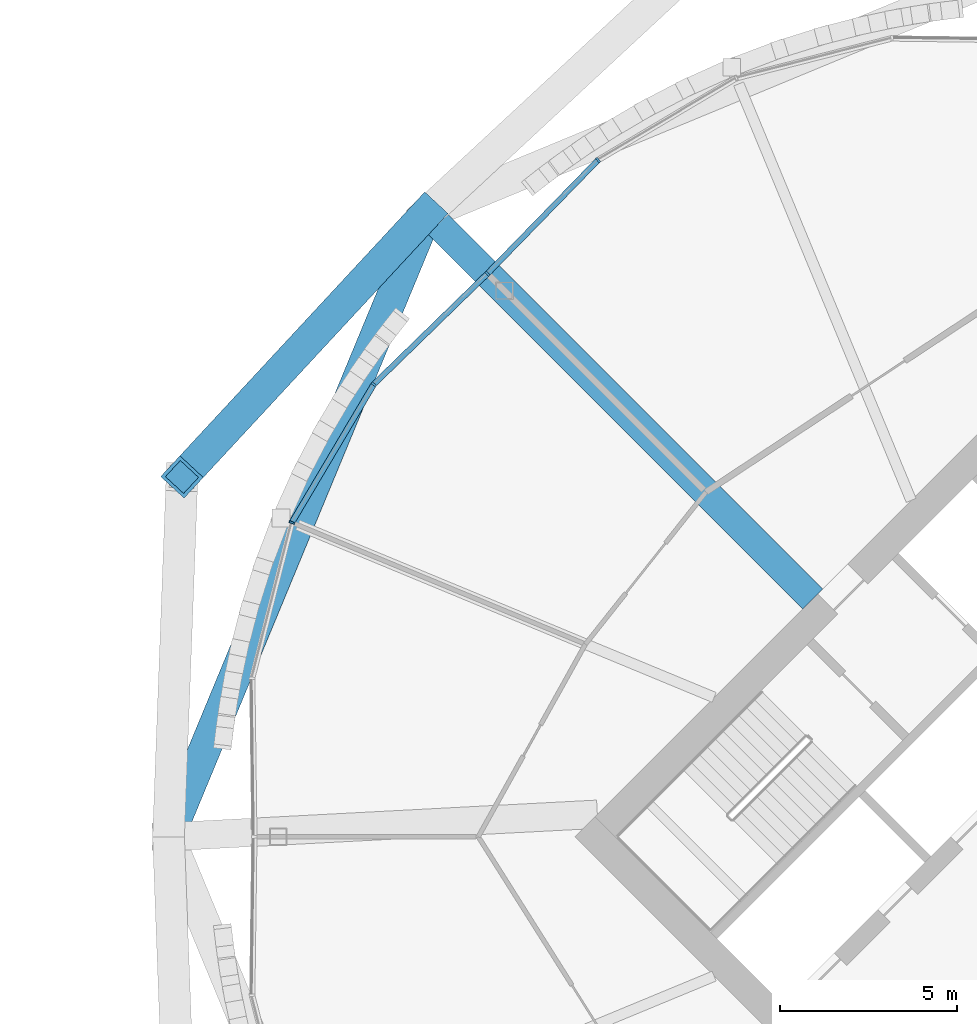
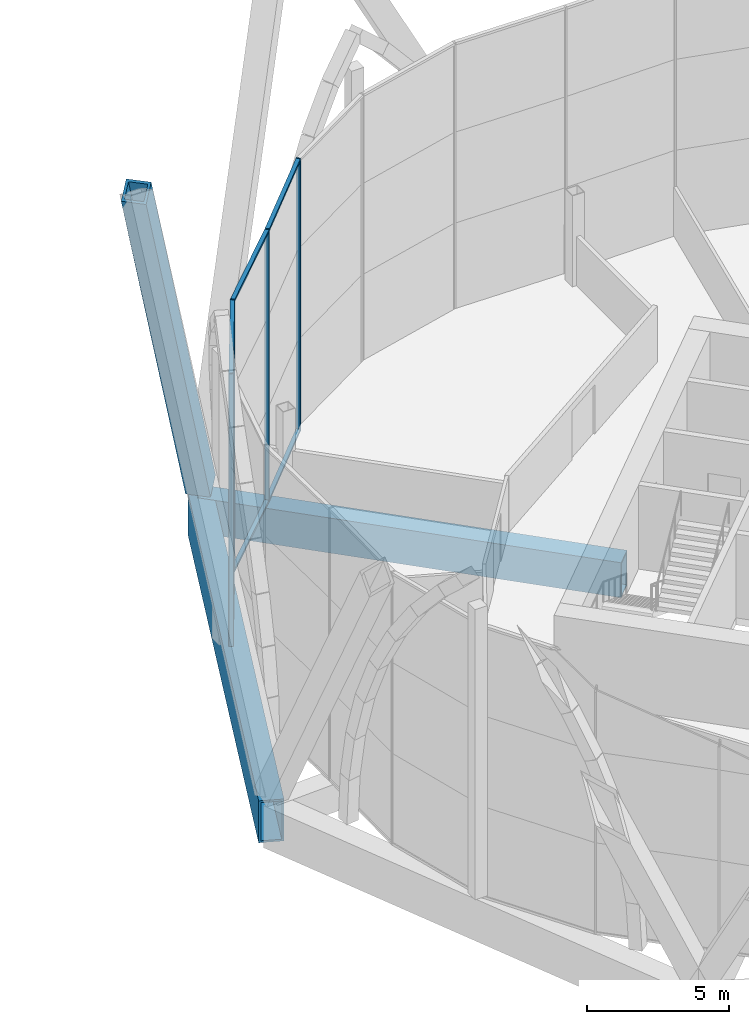
# One storey, part 20 of 37: 11 members, 2 beams, 2 elements without a shape of their own.
"""IFC4 building model written with IfcOpenShell, lengths in metres."""

from ifc_helpers import new_model, si_unit, direction, frame, origin, origin_2d, place, context, subcontext, project, spatial, rectangle, hollow_rectangle, extrude, material, material_profile, profile_set, type_object, element, aggregate, save


model = new_model("IFC4")

# Units and contexts
model_context = context("Model", 3, precision=1e-05, world=origin(), true_north=direction((0.0, 1.0)))
body_context = subcontext(model_context, "Body", "Model", "MODEL_VIEW")
ifc_project = project(units=[si_unit("LENGTHUNIT", "METRE"), si_unit("AREAUNIT", "SQUARE_METRE"), si_unit("VOLUMEUNIT", "CUBIC_METRE"), si_unit("PLANEANGLEUNIT", "RADIAN"), si_unit("MASSUNIT", "GRAM", prefix="KILO")], contexts=[model_context])

# Site, building, storey
site_placement = place(None, origin())
site = spatial("IfcSite", under=ifc_project, at=site_placement, CompositionType="ELEMENT")
building_placement = place(site_placement, origin())
building = spatial("IfcBuilding", under=site, at=building_placement, Name="Ogive Gate Towers", CompositionType="ELEMENT")
storey_placement = place(building_placement, frame((0.0, 0.0, 32.39990234375)))
storey = spatial("IfcBuildingStorey", under=building, at=storey_placement, Name="L06", CompositionType="ELEMENT", Elevation=32.39990234375)

# Member
ifc_material_1 = material(Name="Steel SM460", Category="steel")
ifc_material_profile_1 = material_profile(ifc_material_1, hollow_rectangle(XDim=0.89990234375, YDim=0.89990234375, WallThickness=0.10009765625, at=origin_2d()), Name="BX 900x900x100")
ifc_profile_set_1 = profile_set([ifc_material_profile_1], Name="Steel SM460")
member_type_1 = type_object("IfcMemberType", Name="Diagrid diagonal BX 900x900x100", PredefinedType="BRACE", material=ifc_profile_set_1)
member_1_placement = place(storey_placement, frame((18.385986328125, 17.614013671875, 0.0), z_axis=(-0.31444089886, -0.338942066201, 0.886704684144), x_axis=(0.733107278791, -0.68011301839, 0.0)))
element("IfcMember", 1, at=member_1_placement, inside=storey, type_object=member_type_1, Name="T2/L06/SDG008", PredefinedType="BRACE", context=body_context, shape_type="SweptSolid", body=[
    extrude(hollow_rectangle(XDim=0.89990234375, YDim=0.89990234375, WallThickness=0.10009765625, at=origin_2d()), origin(), (0.0, 0.0, 1.0), 21.991455078125),
])

# Beam
ifc_material_profile_2 = material_profile(ifc_material_1, hollow_rectangle(XDim=0.89990234375, YDim=1.800048828125, WallThickness=0.080078125, at=origin_2d()), Name="BX 1800x900x80")
ifc_profile_set_2 = profile_set([ifc_material_profile_2], Name="Steel SM460")
beam_type_1 = type_object("IfcBeamType", Name="Edge girder BX 1800x900x80", PredefinedType="BEAM", material=ifc_profile_set_2)
beam_1_placement = place(storey_placement, frame((18.385986328125, 17.614013671875, -1.199951171875), z_axis=(-0.382680526191, -0.923880736283, 0.0), x_axis=(0.923880736283, -0.382680526191, 0.0)))
element("IfcBeam", 2, at=beam_1_placement, inside=storey, type_object=beam_type_1, Name="T2/L06/SBM023", PredefinedType="BEAM", context=body_context, shape_type="SweptSolid", body=[
    extrude(hollow_rectangle(XDim=0.89990234375, YDim=1.800048828125, WallThickness=0.080078125, at=origin_2d()), origin(), (0.0, 0.0, 1.0), 19.065185546875),
])

# Curtain wall, members
ifc_material_2 = material(Name="Pale metal aluminium", Category="aluminium")
curtain_wall_type = type_object("IfcCurtainWallType", Name="Tower unitised wall, low zone", PredefinedType="NOTDEFINED", material=ifc_material_2)
curtain_wall_1_placement = place(storey_placement, origin())
curtain_wall_1 = element("IfcCurtainWall", 3, at=curtain_wall_1_placement, inside=storey, type_object=curtain_wall_type, Name="CW1 T2 ECW03", PredefinedType="NOTDEFINED")
ifc_material_profile_3 = material_profile(ifc_material_2, rectangle(XDim=0.159912109375, YDim=0.06005859375, at=origin_2d()), Name="60 x 160 aluminium box")
ifc_profile_set_3 = profile_set([ifc_material_profile_3], Name="Pale metal aluminium")
member_type_2 = type_object("IfcMemberType", Name="Tower unitised wall, low zone mullion 60 x 160", PredefinedType="MULLION", material=ifc_profile_set_3)
member_2_placement = place(storey_placement, frame((23.221923828125, 19.112548828125, -0.2998046875), z_axis=(0.0, 0.0, 1.0), x_axis=(-0.61853182984, 0.785759744117, 0.0)))
member_2 = element("IfcMember", 4, at=member_2_placement, type_object=member_type_2, Name="CW1 mullion", PredefinedType="MULLION", context=body_context, shape_type="SweptSolid", body=[
    extrude(rectangle(XDim=0.159912109375, YDim=0.06005859375, at=origin_2d()), origin(), (0.0, 0.0, 1.0), 11.699951171875),
])
member_3_placement = place(storey_placement, frame((20.097412109375, 15.903076171875, -0.2998046875), z_axis=(0.0, 0.0, 1.0), x_axis=(-0.716496775349, 0.697590403399, 0.0)))
member_3 = element("IfcMember", 5, at=member_3_placement, type_object=member_type_2, Name="CW1 mullion", PredefinedType="MULLION", context=body_context, shape_type="SweptSolid", body=[
    extrude(rectangle(XDim=0.159912109375, YDim=0.06005859375, at=origin_2d()), origin(), (0.0, 0.0, 1.0), 11.699951171875),
])

curtain_wall_2_placement = place(storey_placement, origin())
curtain_wall_2 = element("IfcCurtainWall", 6, at=curtain_wall_2_placement, inside=storey, type_object=curtain_wall_type, Name="CW1 T2 ECW04", PredefinedType="NOTDEFINED")
member_4_placement = place(storey_placement, frame((16.887451171875, 12.778076171875, -0.2998046875), z_axis=(0.0, 0.0, 1.0), x_axis=(-0.785759744117, 0.61853182984, 0.0)))
member_4 = element("IfcMember", 7, at=member_4_placement, type_object=member_type_2, Name="CW1 mullion", PredefinedType="MULLION", context=body_context, shape_type="SweptSolid", body=[
    extrude(rectangle(XDim=0.159912109375, YDim=0.06005859375, at=origin_2d()), origin(), (0.0, 0.0, 1.0), 11.699951171875),
])
member_5_placement = place(storey_placement, frame((14.57421875, 8.874755859375, -0.2998046875), z_axis=(0.0, 0.0, 1.0), x_axis=(-0.923879532511, 0.382683432365, 0.0)))
member_5 = element("IfcMember", 8, at=member_5_placement, type_object=member_type_2, Name="CW1 mullion", PredefinedType="MULLION", context=body_context, shape_type="SweptSolid", body=[
    extrude(rectangle(XDim=0.159912109375, YDim=0.06005859375, at=origin_2d()), origin(), (0.0, 0.0, 1.0), 11.699951171875),
])

# Member
ifc_material_profile_4 = material_profile(ifc_material_2, rectangle(XDim=0.159912109375, YDim=0.10009765625, at=origin_2d()), Name="100 x 160 aluminium box")
ifc_profile_set_4 = profile_set([ifc_material_profile_4], Name="Pale metal aluminium")
member_type_3 = type_object("IfcMemberType", Name="Tower unitised wall, low zone transom 100 x 160", PredefinedType="USERDEFINED", material=ifc_profile_set_4)
member_6_placement = place(storey_placement, frame((23.202880859375, 19.0927734375, 11.35009765625), z_axis=(-0.697574167313, -0.716512582651, 0.0), x_axis=(0.716512582651, -0.697574167313, 0.0)))
member_6 = element("IfcMember", 9, at=member_6_placement, type_object=member_type_3, Name="CW1 transom", ObjectType="TRANSOM", PredefinedType="USERDEFINED", context=body_context, shape_type="SweptSolid", body=[
    extrude(rectangle(XDim=0.159912109375, YDim=0.10009765625, at=origin_2d()), origin(), (0.0, 0.0, 1.0), 4.421630859375),
])

member_7_placement = place(storey_placement, frame((23.202880859375, 19.0927734375, -0.25), z_axis=(-0.697574167313, -0.716512582651, 0.0), x_axis=(0.716512582651, -0.697574167313, 0.0)))
member_7 = element("IfcMember", 10, at=member_7_placement, type_object=member_type_3, Name="CW1 transom", ObjectType="TRANSOM", PredefinedType="USERDEFINED", context=body_context, shape_type="SweptSolid", body=[
    extrude(rectangle(XDim=0.159912109375, YDim=0.10009765625, at=origin_2d()), origin(), (0.0, 0.0, 1.0), 4.421630859375),
])

aggregate(curtain_wall_1, [member_2, member_3, member_6, member_7])

member_8_placement = place(storey_placement, frame((20.075439453125, 15.881591796875, 11.35009765625), z_axis=(-0.716512582651, -0.697574167313, 0.0), x_axis=(0.697574167313, -0.716512582651, 0.0)))
member_8 = element("IfcMember", 11, at=member_8_placement, type_object=member_type_3, Name="CW1 transom", ObjectType="TRANSOM", PredefinedType="USERDEFINED", context=body_context, shape_type="SweptSolid", body=[
    extrude(rectangle(XDim=0.159912109375, YDim=0.10009765625, at=origin_2d()), origin(), (0.0, 0.0, 1.0), 4.421630859375),
])

member_9_placement = place(storey_placement, frame((20.075439453125, 15.881591796875, -0.25), z_axis=(-0.716512582651, -0.697574167313, 0.0), x_axis=(0.697574167313, -0.716512582651, 0.0)))
member_9 = element("IfcMember", 12, at=member_9_placement, type_object=member_type_3, Name="CW1 transom", ObjectType="TRANSOM", PredefinedType="USERDEFINED", context=body_context, shape_type="SweptSolid", body=[
    extrude(rectangle(XDim=0.159912109375, YDim=0.10009765625, at=origin_2d()), origin(), (0.0, 0.0, 1.0), 4.421630859375),
])

member_10_placement = place(storey_placement, frame((16.873779296875, 12.75439453125, 11.35009765625), z_axis=(-0.509842699042, -0.860267645697, 0.0), x_axis=(0.860267645697, -0.509842699042, 0.0)))
member_10 = element("IfcMember", 13, at=member_10_placement, type_object=member_type_3, Name="CW1 transom", ObjectType="TRANSOM", PredefinedType="USERDEFINED", context=body_context, shape_type="SweptSolid", body=[
    extrude(rectangle(XDim=0.159912109375, YDim=0.10009765625, at=origin_2d()), origin(), (0.0, 0.0, 1.0), 4.482666015625),
])

member_11_placement = place(storey_placement, frame((16.873779296875, 12.75439453125, -0.25), z_axis=(-0.509842699042, -0.860267645697, 0.0), x_axis=(0.860267645697, -0.509842699042, 0.0)))
member_11 = element("IfcMember", 14, at=member_11_placement, type_object=member_type_3, Name="CW1 transom", ObjectType="TRANSOM", PredefinedType="USERDEFINED", context=body_context, shape_type="SweptSolid", body=[
    extrude(rectangle(XDim=0.159912109375, YDim=0.10009765625, at=origin_2d()), origin(), (0.0, 0.0, 1.0), 4.482666015625),
])

aggregate(curtain_wall_2, [member_4, member_8, member_9, member_5, member_10, member_11])

# Beam
ifc_material_profile_5 = material_profile(ifc_material_1, hollow_rectangle(XDim=0.800048828125, YDim=1.5, WallThickness=0.06005859375, at=origin_2d()), Name="BX 1500x800x60")
ifc_profile_set_5 = profile_set([ifc_material_profile_5], Name="Steel SM460")
beam_type_2 = type_object("IfcBeamType", Name="Transfer radial beam BX 1500x800x60", PredefinedType="BEAM", material=ifc_profile_set_5)
beam_2_placement = place(storey_placement, frame((29.282470703125, 6.717529296875, -1.0498046875), z_axis=(-0.707106781187, 0.707106781187, 0.0), x_axis=(-0.707106781187, -0.707106781187, 0.0)))
element("IfcBeam", 15, at=beam_2_placement, inside=storey, type_object=beam_type_2, Name="T2/L06/SBM013", PredefinedType="BEAM", context=body_context, shape_type="SweptSolid", body=[
    extrude(hollow_rectangle(XDim=0.800048828125, YDim=1.5, WallThickness=0.06005859375, at=origin_2d()), origin(), (0.0, 0.0, 1.0), 15.409912109375),
])

save(model, "model.ifc")
